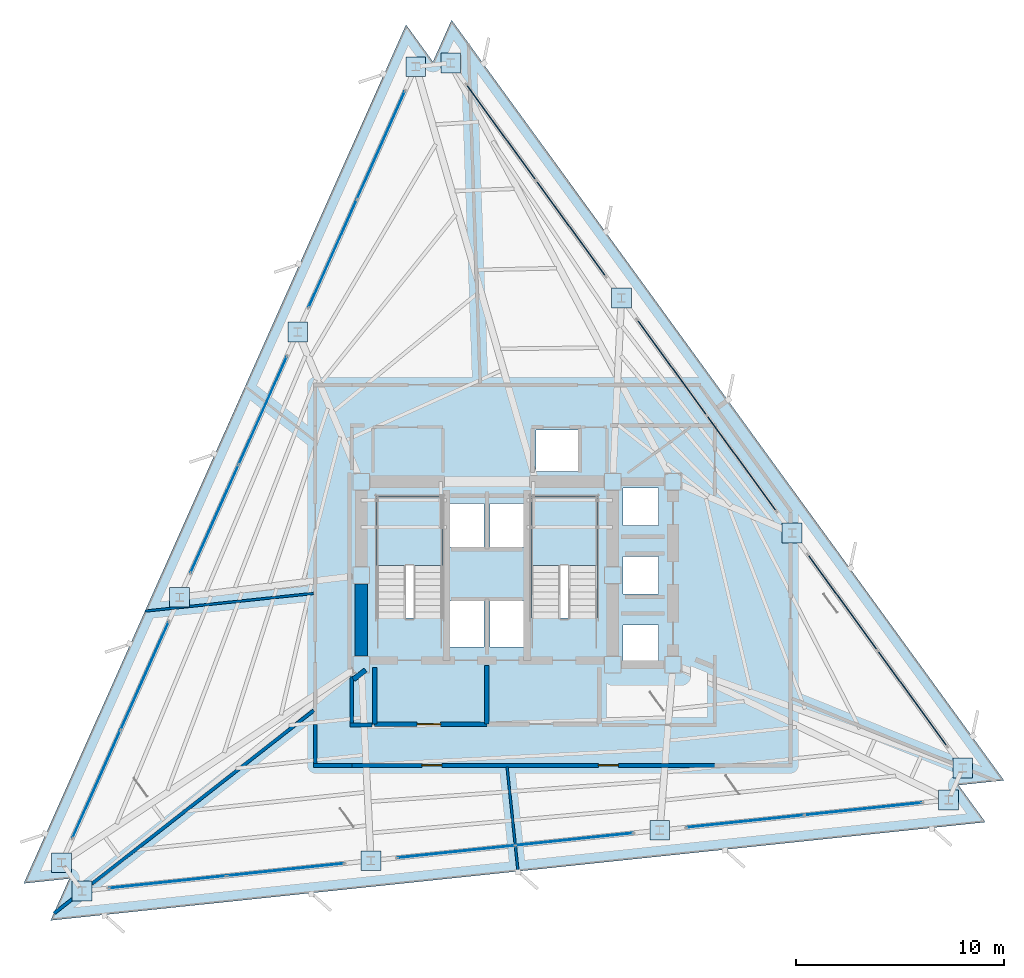
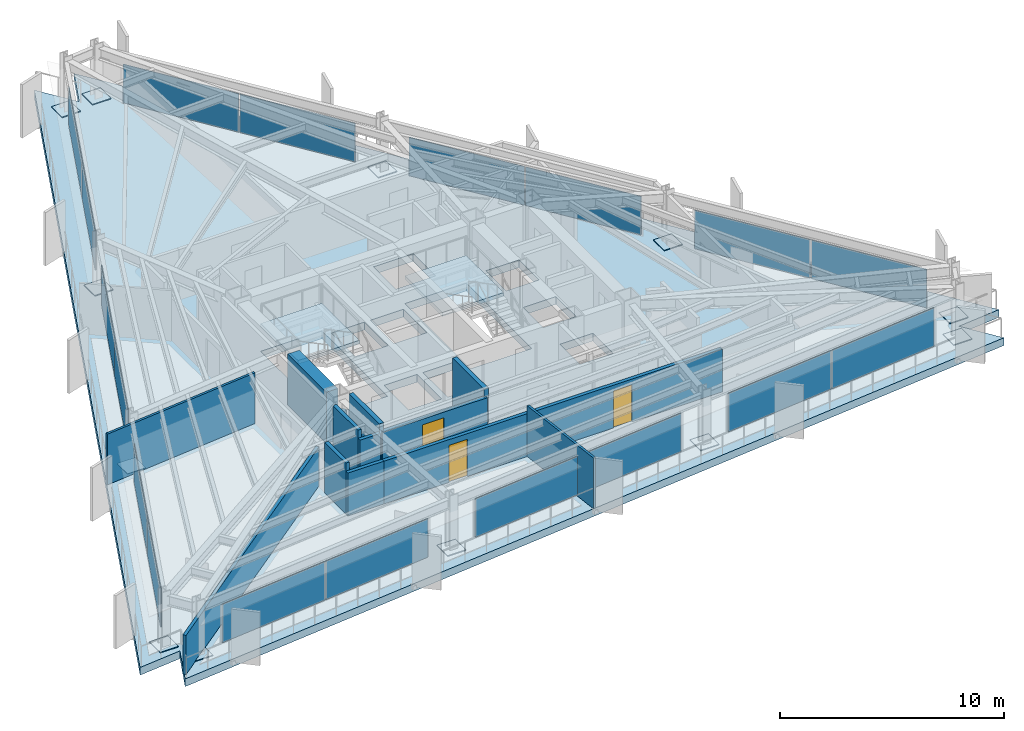
# One storey, part 7 of 12: 30 plates, 13 walls, 3 doors, 3 slabs, 3 openings, 11 elements without a shape of their own.
"""IFC4 building model written with IfcOpenShell, lengths in metres."""

from ifc_helpers import new_model, si_unit, direction, frame, frame_2d, origin, origin_2d, place, context, subcontext, project, spatial, polyline, rectangle, outline, extrude, material, layer, layer_set, type_object, element, fill, aggregate, save


model = new_model("IFC4")

# Units and contexts
model_context = context("Model", 3, precision=1e-05, world=origin(), true_north=direction((0.0, 1.0)))
body_context = subcontext(model_context, "Body", "Model", "MODEL_VIEW")
ifc_project = project(units=[si_unit("LENGTHUNIT", "METRE"), si_unit("AREAUNIT", "SQUARE_METRE"), si_unit("VOLUMEUNIT", "CUBIC_METRE"), si_unit("PLANEANGLEUNIT", "RADIAN"), si_unit("MASSUNIT", "GRAM", prefix="KILO")], contexts=[model_context])

# Site, building, storey
site_placement = place(None, origin())
site = spatial("IfcSite", under=ifc_project, at=site_placement, CompositionType="ELEMENT")
building_placement = place(site_placement, origin())
building = spatial("IfcBuilding", under=site, at=building_placement, Name="Rocaltana Carrier Exchange", CompositionType="ELEMENT")
storey_placement = place(building_placement, frame((0.0, 0.0, 104.639892578125)))
storey = spatial("IfcBuildingStorey", under=building, at=storey_placement, Name="L32", CompositionType="ELEMENT", Elevation=104.639892578125)

# Slab
ifc_material_1 = material(Name="Concrete C60/75", Category="concrete")
ifc_layer_1 = layer(ifc_material_1, 0.419921875)
ifc_layer_set_1 = layer_set([ifc_layer_1], Name="Concrete C60/75")
slab_type_1 = type_object("IfcSlabType", Name="Block Transfer Diaphragm Slab 420", PredefinedType="FLOOR", material=ifc_layer_set_1)
slab_1_placement = place(storey_placement, frame((0.0, 0.0, -0.419921875)))
element("IfcSlab", 1, at=slab_1_placement, inside=storey, type_object=slab_type_1, Name="L32 Structural Floor Slab", PredefinedType="FLOOR", context=body_context, shape_type="SweptSolid", body=[
    extrude(outline(polyline([(23.972900390625, -11.87744140625), (22.6796875, -10.09765625), (24.86767578125, -9.86767578125), (-1.7001953125, 26.699951171875), (-2.594970703125, 24.690185546875), (-3.88818359375, 26.469970703125), (-22.272705078125, -14.822509765625), (-20.084716796875, -14.59228515625), (-20.9794921875, -16.602294921875), (23.972900390625, -11.87744140625)]), holes=[polyline([(-5.300048828125, -2.06005859375), (-2.139892578125, -2.06005859375), (-2.139892578125, 3.800048828125), (-5.300048828125, 3.800048828125), (-5.300048828125, -2.06005859375)]), polyline([(2.139892578125, -2.06005859375), (5.300048828125, -2.06005859375), (5.300048828125, 3.800048828125), (2.139892578125, 3.800048828125), (2.139892578125, -2.06005859375)]), polyline([(-1.85009765625, -3.449951171875), (-0.14990234375, -3.449951171875), (-0.14990234375, -1.25), (-1.85009765625, -1.25), (-1.85009765625, -3.449951171875)]), polyline([(0.14990234375, -3.449951171875), (1.85009765625, -3.449951171875), (1.85009765625, -1.25), (0.14990234375, -1.25), (0.14990234375, -3.449951171875)]), polyline([(2.35009765625, 4.97998046875), (4.39990234375, 4.97998046875), (4.39990234375, 6.97998046875), (2.35009765625, 6.97998046875), (2.35009765625, 4.97998046875)]), polyline([(-1.85009765625, 1.35009765625), (-0.14990234375, 1.35009765625), (-0.14990234375, 3.449951171875), (-1.85009765625, 3.449951171875), (-1.85009765625, 1.35009765625)]), polyline([(0.14990234375, 1.35009765625), (1.85009765625, 1.35009765625), (1.85009765625, 3.449951171875), (0.14990234375, 3.449951171875), (0.14990234375, 1.35009765625)]), polyline([(6.550048828125, -4.199951171875), (8.25, -4.199951171875), (8.25, -2.39990234375), (6.550048828125, -2.39990234375), (6.550048828125, -4.199951171875)]), polyline([(6.550048828125, -0.89990234375), (8.25, -0.89990234375), (8.25, 0.89990234375), (6.550048828125, 0.89990234375), (6.550048828125, -0.89990234375)]), polyline([(6.550048828125, 2.39990234375), (8.25, 2.39990234375), (8.25, 4.199951171875), (6.550048828125, 4.199951171875), (6.550048828125, 2.39990234375)])]), origin(), (0.0, 0.0, 1.0), 0.419921875),
])

# Curtain wall, plates
ifc_material_2 = material(Name="Aluminium 6063-T6", Category="aluminium")
ifc_layer_2 = layer(ifc_material_2, 0.14990234375)
ifc_layer_set_2 = layer_set([ifc_layer_2], Name="Aluminium 6063-T6")
curtain_wall_type = type_object("IfcCurtainWallType", Name="Mid-Tower Unitised Curtain Wall CW-03", PredefinedType="NOTDEFINED", material=ifc_layer_set_2)
curtain_wall_1_placement = place(storey_placement, origin())
curtain_wall_1 = element("IfcCurtainWall", 2, at=curtain_wall_1_placement, inside=storey, type_object=curtain_wall_type, Name="L32 CW-03 Run CW-L32-F1S1", PredefinedType="NOTDEFINED")
ifc_material_3 = material(Name="Tempered Laminated Glass", Category="glass")
ifc_layer_3 = layer(ifc_material_3, 0.0400390625)
ifc_layer_set_3 = layer_set([ifc_layer_3], Name="Tempered Laminated Glass")
plate_type_1 = type_object("IfcPlateType", Name="CW-03 Stone-Insulated Vision Panel", PredefinedType="CURTAIN_PANEL", material=ifc_layer_set_3)
plate_1_placement = place(storey_placement, frame((20.4580078125, -5.925048828125, 0.06005859375), z_axis=(0.0, 0.0, 1.0), x_axis=(-0.587789985889, 0.809013555195, 0.0)))
plate_1 = element("IfcPlate", 3, at=plate_1_placement, type_object=plate_type_1, Name="CW-03 panel 1.1", PredefinedType="CURTAIN_PANEL", context=body_context, shape_type="SweptSolid", body=[
    extrude(rectangle(XDim=5.643310546875, YDim=0.0400390625, at=origin_2d()), origin(), (0.0, 0.0, 1.0), 2.097900390625),
])
plate_2_placement = place(storey_placement, frame((17.105712890625, -1.310791015625, 0.06005859375), z_axis=(0.0, 0.0, 1.0), x_axis=(-0.587789985889, 0.809013555195, 0.0)))
plate_2 = element("IfcPlate", 4, at=plate_2_placement, type_object=plate_type_1, Name="CW-03 panel 2.1", PredefinedType="CURTAIN_PANEL", context=body_context, shape_type="SweptSolid", body=[
    extrude(rectangle(XDim=5.643310546875, YDim=0.0400390625, at=origin_2d()), origin(), (0.0, 0.0, 1.0), 2.097900390625),
])
aggregate(curtain_wall_1, [plate_1, plate_2])

curtain_wall_2_placement = place(storey_placement, origin())
curtain_wall_2 = element("IfcCurtainWall", 5, at=curtain_wall_2_placement, inside=storey, type_object=curtain_wall_type, Name="L32 CW-03 Run CW-L32-F1S2", PredefinedType="NOTDEFINED")
plate_3_placement = place(storey_placement, frame((12.248779296875, 5.374267578125, 0.06005859375), z_axis=(0.0, 0.0, 1.0), x_axis=(-0.587789985889, 0.809013555195, 0.0)))
plate_3 = element("IfcPlate", 6, at=plate_3_placement, type_object=plate_type_1, Name="CW-03 panel 1.1", PredefinedType="CURTAIN_PANEL", context=body_context, shape_type="SweptSolid", body=[
    extrude(rectangle(XDim=5.643310546875, YDim=0.0400390625, at=origin_2d()), origin(), (0.0, 0.0, 1.0), 2.097900390625),
])
plate_4_placement = place(storey_placement, frame((8.896240234375, 9.98828125, 0.06005859375), z_axis=(0.0, 0.0, 1.0), x_axis=(-0.587789985889, 0.809013555195, 0.0)))
plate_4 = element("IfcPlate", 7, at=plate_4_placement, type_object=plate_type_1, Name="CW-03 panel 2.1", PredefinedType="CURTAIN_PANEL", context=body_context, shape_type="SweptSolid", body=[
    extrude(rectangle(XDim=5.643310546875, YDim=0.0400390625, at=origin_2d()), origin(), (0.0, 0.0, 1.0), 2.097900390625),
])
aggregate(curtain_wall_2, [plate_3, plate_4])

curtain_wall_3_placement = place(storey_placement, origin())
curtain_wall_3 = element("IfcCurtainWall", 8, at=curtain_wall_3_placement, inside=storey, type_object=curtain_wall_type, Name="L32 CW-03 Run CW-L32-F1S3", PredefinedType="NOTDEFINED")
plate_5_placement = place(storey_placement, frame((4.039306640625, 16.673583984375, 0.06005859375), z_axis=(0.0, 0.0, 1.0), x_axis=(-0.587789985889, 0.809013555195, 0.0)))
plate_5 = element("IfcPlate", 9, at=plate_5_placement, type_object=plate_type_1, Name="CW-03 panel 1.1", PredefinedType="CURTAIN_PANEL", context=body_context, shape_type="SweptSolid", body=[
    extrude(rectangle(XDim=5.643310546875, YDim=0.0400390625, at=origin_2d()), origin(), (0.0, 0.0, 1.0), 2.097900390625),
])
plate_6_placement = place(storey_placement, frame((0.68701171875, 21.28759765625, 0.06005859375), z_axis=(0.0, 0.0, 1.0), x_axis=(-0.587789985889, 0.809013555195, 0.0)))
plate_6 = element("IfcPlate", 10, at=plate_6_placement, type_object=plate_type_1, Name="CW-03 panel 2.1", PredefinedType="CURTAIN_PANEL", context=body_context, shape_type="SweptSolid", body=[
    extrude(rectangle(XDim=5.643310546875, YDim=0.0400390625, at=origin_2d()), origin(), (0.0, 0.0, 1.0), 2.097900390625),
])
aggregate(curtain_wall_3, [plate_5, plate_6])

curtain_wall_4_placement = place(storey_placement, origin())
curtain_wall_4 = element("IfcCurtainWall", 11, at=curtain_wall_4_placement, inside=storey, type_object=curtain_wall_type, Name="L32 CW-03 Run CW-L32-F2S1", PredefinedType="NOTDEFINED")
plate_7_placement = place(storey_placement, frame((-5.097900390625, 20.6796875, 0.06005859375), z_axis=(0.0, 0.0, 1.0), x_axis=(-0.406740386206, -0.913543791084, 0.0)))
plate_7 = element("IfcPlate", 12, at=plate_7_placement, type_object=plate_type_1, Name="CW-03 panel 1.1", PredefinedType="CURTAIN_PANEL", context=body_context, shape_type="SweptSolid", body=[
    extrude(rectangle(XDim=5.643310546875, YDim=0.0400390625, at=origin_2d()), origin(), (0.0, 0.0, 1.0), 2.097900390625),
])
plate_8_placement = place(storey_placement, frame((-7.41748046875, 15.46923828125, 0.06005859375), z_axis=(0.0, 0.0, 1.0), x_axis=(-0.406740386206, -0.913543791084, 0.0)))
plate_8 = element("IfcPlate", 13, at=plate_8_placement, type_object=plate_type_1, Name="CW-03 panel 2.1", PredefinedType="CURTAIN_PANEL", context=body_context, shape_type="SweptSolid", body=[
    extrude(rectangle(XDim=5.643310546875, YDim=0.0400390625, at=origin_2d()), origin(), (0.0, 0.0, 1.0), 2.097900390625),
])
aggregate(curtain_wall_4, [plate_7, plate_8])

curtain_wall_5_placement = place(storey_placement, origin())
curtain_wall_5 = element("IfcCurtainWall", 14, at=curtain_wall_5_placement, inside=storey, type_object=curtain_wall_type, Name="L32 CW-03 Run CW-L32-F2S2", PredefinedType="NOTDEFINED")
plate_9_placement = place(storey_placement, frame((-10.778564453125, 7.92041015625, 0.06005859375), z_axis=(0.0, 0.0, 1.0), x_axis=(-0.406743626669, -0.913542348315, 0.0)))
plate_9 = element("IfcPlate", 15, at=plate_9_placement, type_object=plate_type_1, Name="CW-03 panel 1.1", PredefinedType="CURTAIN_PANEL", context=body_context, shape_type="SweptSolid", body=[
    extrude(rectangle(XDim=5.643310546875, YDim=0.0400390625, at=origin_2d()), origin(), (0.0, 0.0, 1.0), 2.097900390625),
])
plate_10_placement = place(storey_placement, frame((-13.098388671875, 2.710205078125, 0.06005859375), z_axis=(0.0, 0.0, 1.0), x_axis=(-0.406743626669, -0.913542348315, 0.0)))
plate_10 = element("IfcPlate", 16, at=plate_10_placement, type_object=plate_type_1, Name="CW-03 panel 2.1", PredefinedType="CURTAIN_PANEL", context=body_context, shape_type="SweptSolid", body=[
    extrude(rectangle(XDim=5.643310546875, YDim=0.0400390625, at=origin_2d()), origin(), (0.0, 0.0, 1.0), 2.097900390625),
])
aggregate(curtain_wall_5, [plate_9, plate_10])

curtain_wall_6_placement = place(storey_placement, origin())
curtain_wall_6 = element("IfcCurtainWall", 17, at=curtain_wall_6_placement, inside=storey, type_object=curtain_wall_type, Name="L32 CW-03 Run CW-L32-F2S3", PredefinedType="NOTDEFINED")
plate_11_placement = place(storey_placement, frame((-16.45947265625, -4.838623046875, 0.06005859375), z_axis=(0.0, 0.0, 1.0), x_axis=(-0.406733108077, -0.913547031517, 0.0)))
plate_11 = element("IfcPlate", 18, at=plate_11_placement, type_object=plate_type_1, Name="CW-03 panel 1.1", PredefinedType="CURTAIN_PANEL", context=body_context, shape_type="SweptSolid", body=[
    extrude(rectangle(XDim=5.643310546875, YDim=0.0400390625, at=origin_2d()), origin(), (0.0, 0.0, 1.0), 2.097900390625),
])
plate_12_placement = place(storey_placement, frame((-18.779052734375, -10.048828125, 0.06005859375), z_axis=(0.0, 0.0, 1.0), x_axis=(-0.406733108077, -0.913547031517, 0.0)))
plate_12 = element("IfcPlate", 19, at=plate_12_placement, type_object=plate_type_1, Name="CW-03 panel 2.1", PredefinedType="CURTAIN_PANEL", context=body_context, shape_type="SweptSolid", body=[
    extrude(rectangle(XDim=5.643310546875, YDim=0.0400390625, at=origin_2d()), origin(), (0.0, 0.0, 1.0), 2.097900390625),
])
aggregate(curtain_wall_6, [plate_11, plate_12])

curtain_wall_7_placement = place(storey_placement, origin())
curtain_wall_7 = element("IfcCurtainWall", 20, at=curtain_wall_7_placement, inside=storey, type_object=curtain_wall_type, Name="L32 CW-03 Run CW-L32-F3S1", PredefinedType="NOTDEFINED")
plate_13_placement = place(storey_placement, frame((-15.360107421875, -14.754638671875, 0.06005859375), z_axis=(0.0, 0.0, 1.0), x_axis=(0.994522594952, 0.104521806959, 0.0)))
plate_13 = element("IfcPlate", 21, at=plate_13_placement, type_object=plate_type_1, Name="CW-03 panel 1.1", PredefinedType="CURTAIN_PANEL", context=body_context, shape_type="SweptSolid", body=[
    extrude(rectangle(XDim=5.643310546875, YDim=0.0400390625, at=origin_2d()), origin(), (0.0, 0.0, 1.0), 2.097900390625),
])
plate_14_placement = place(storey_placement, frame((-9.688232421875, -14.15869140625, 0.06005859375), z_axis=(0.0, 0.0, 1.0), x_axis=(0.994522594952, 0.104521806959, 0.0)))
plate_14 = element("IfcPlate", 22, at=plate_14_placement, type_object=plate_type_1, Name="CW-03 panel 2.1", PredefinedType="CURTAIN_PANEL", context=body_context, shape_type="SweptSolid", body=[
    extrude(rectangle(XDim=5.643310546875, YDim=0.0400390625, at=origin_2d()), origin(), (0.0, 0.0, 1.0), 2.097900390625),
])
aggregate(curtain_wall_7, [plate_13, plate_14])

curtain_wall_8_placement = place(storey_placement, origin())
curtain_wall_8 = element("IfcCurtainWall", 23, at=curtain_wall_8_placement, inside=storey, type_object=curtain_wall_type, Name="L32 CW-03 Run CW-L32-F3S2", PredefinedType="NOTDEFINED")
plate_15_placement = place(storey_placement, frame((-1.469970703125, -13.294677734375, 0.06005859375), z_axis=(0.0, 0.0, 1.0), x_axis=(0.994521783658, 0.104529526113, 0.0)))
plate_15 = element("IfcPlate", 24, at=plate_15_placement, type_object=plate_type_1, Name="CW-03 panel 1.1", PredefinedType="CURTAIN_PANEL", context=body_context, shape_type="SweptSolid", body=[
    extrude(rectangle(XDim=5.643310546875, YDim=0.0400390625, at=origin_2d()), origin(), (0.0, 0.0, 1.0), 2.097900390625),
])
plate_16_placement = place(storey_placement, frame((4.2021484375, -12.69873046875, 0.06005859375), z_axis=(0.0, 0.0, 1.0), x_axis=(0.994521783658, 0.104529526113, 0.0)))
plate_16 = element("IfcPlate", 25, at=plate_16_placement, type_object=plate_type_1, Name="CW-03 panel 2.1", PredefinedType="CURTAIN_PANEL", context=body_context, shape_type="SweptSolid", body=[
    extrude(rectangle(XDim=5.643310546875, YDim=0.0400390625, at=origin_2d()), origin(), (0.0, 0.0, 1.0), 2.097900390625),
])
aggregate(curtain_wall_8, [plate_15, plate_16])

curtain_wall_9_placement = place(storey_placement, origin())
curtain_wall_9 = element("IfcCurtainWall", 26, at=curtain_wall_9_placement, inside=storey, type_object=curtain_wall_type, Name="L32 CW-03 Run CW-L32-F3S3", PredefinedType="NOTDEFINED")
plate_17_placement = place(storey_placement, frame((12.420166015625, -11.834716796875, 0.06005859375), z_axis=(0.0, 0.0, 1.0), x_axis=(0.994522594952, 0.104521806959, 0.0)))
plate_17 = element("IfcPlate", 27, at=plate_17_placement, type_object=plate_type_1, Name="CW-03 panel 1.1", PredefinedType="CURTAIN_PANEL", context=body_context, shape_type="SweptSolid", body=[
    extrude(rectangle(XDim=5.643310546875, YDim=0.0400390625, at=origin_2d()), origin(), (0.0, 0.0, 1.0), 2.097900390625),
])
plate_18_placement = place(storey_placement, frame((18.092041015625, -11.23876953125, 0.06005859375), z_axis=(0.0, 0.0, 1.0), x_axis=(0.994522594952, 0.104521806959, 0.0)))
plate_18 = element("IfcPlate", 28, at=plate_18_placement, type_object=plate_type_1, Name="CW-03 panel 2.1", PredefinedType="CURTAIN_PANEL", context=body_context, shape_type="SweptSolid", body=[
    extrude(rectangle(XDim=5.643310546875, YDim=0.0400390625, at=origin_2d()), origin(), (0.0, 0.0, 1.0), 2.097900390625),
])
aggregate(curtain_wall_9, [plate_17, plate_18])

# Plates
ifc_material_4 = material(Name="Steel S460", Category="steel")
ifc_layer_4 = layer(ifc_material_4, 0.0400390625)
ifc_layer_set_4 = layer_set([ifc_layer_4], Name="Steel S460")
plate_type_2 = type_object("IfcPlateType", Name="Column Base Bearing Plate 950x950x40", PredefinedType="SHEET", material=ifc_layer_set_4)
for number, where, z_axis, x_axis, name in (
    (29, (22.88671875, -9.267578125, 0.0), (0.0, 0.0, 1.0), (1.0, 0.0, 0.0), "L32 Block Transfer Bearing Plate TC01"),
    (30, (14.67724609375, 2.03173828125, 0.0), (0.0, 0.0, 1.0), (1.0, 0.0, 0.0), "L32 Block Transfer Bearing Plate TC02"),
    (31, (6.4677734375, 13.3310546875, 0.0), (0.0, 0.0, 1.0), (1.0, 0.0, 0.0), "L32 Block Transfer Bearing Plate TC03"),
    (32, (-1.74169921875, 24.63037109375, 0.0), (0.0, 0.0, 1.0), (1.0, 0.0, 0.0), "L32 Block Transfer Bearing Plate TC04"),
    (33, (-3.417236328125, 24.4541015625, 0.0), (0.0, 0.0, 1.0), (1.0, 0.0, 0.0), "L32 Block Transfer Bearing Plate TC05"),
    (34, (-9.09814453125, 11.69482421875, 0.0), (0.0, 0.0, 1.0), (1.0, 0.0, 0.0), "L32 Block Transfer Bearing Plate TC06"),
    (35, (-14.77880859375, -1.064208984375, 0.0), (0.0, 0.0, 1.0), (1.0, 0.0, 0.0), "L32 Block Transfer Bearing Plate TC07"),
    (36, (-20.459716796875, -13.823486328125, 0.0), (0.0, 0.0, 1.0), (1.0, 0.0, 0.0), "L32 Block Transfer Bearing Plate TC08"),
    (37, (-19.46923828125, -15.1865234375, 0.0), (0.0, 0.0, 1.0), (1.0, 0.0, 0.0), "L32 Block Transfer Bearing Plate TC09"),
    (38, (-5.5791015625, -13.726806640625, 0.0), (0.0, 0.0, 1.0), (1.0, 0.0, 0.0), "L32 Block Transfer Bearing Plate TC10"),
    (39, (8.31103515625, -12.2666015625, 0.0), (0.0, 0.0, 1.0), (1.0, 0.0, 0.0), "L32 Block Transfer Bearing Plate TC11"),
    (40, (22.201171875, -10.806884765625, 0.0), (0.0, 0.0, 1.0), (1.0, 0.0, 0.0), "L32 Block Transfer Bearing Plate TC12"),
):
    element("IfcPlate", number, at=place(storey_placement, frame(where, z_axis=z_axis, x_axis=x_axis)), inside=storey, type_object=plate_type_2, Name=name, PredefinedType="SHEET", context=body_context, shape_type="SweptSolid", body=[
        extrude(rectangle(XDim=0.949951171875, YDim=0.949951171875, at=origin_2d()), origin(), (0.0, 0.0, 1.0), 0.0400390625),
    ])

# Stair, slab
ifc_material_5 = material(Name="Precast concrete C45/55", Category="concrete")
stair_type = type_object("IfcStairType", Name="Standard Dog-Leg Stair 160", PredefinedType="HALF_TURN_STAIR", material=ifc_material_5)
stair_1_placement = place(storey_placement, origin())
stair_1 = element("IfcStair", 41, at=stair_1_placement, inside=storey, type_object=stair_type, Name="L32 Core West Exit Stair ST-1", PredefinedType="HALF_TURN_STAIR")
ifc_material_6 = material(Name="Precast concrete C45/55", Category="concrete")
ifc_layer_5 = layer(ifc_material_6, 0.199951171875)
ifc_layer_set_5 = layer_set([ifc_layer_5], Name="Precast concrete C45/55")
slab_type_2 = type_object("IfcSlabType", Name="Precast Stair Half-Landing 200", PredefinedType="LANDING", material=ifc_layer_set_5)
slab_2_placement = place(storey_placement, frame((0.0, 0.0, 1.320068359375)))
slab_2 = element("IfcSlab", 42, at=slab_2_placement, type_object=slab_type_2, Name="ST-1 landing 1", PredefinedType="LANDING", context=body_context, shape_type="SweptSolid", body=[
    extrude(outline(polyline([(-2.139892578125, 0.4599609375), (-2.139892578125, 3.800048828125), (-5.300048828125, 3.800048828125), (-5.300048828125, 0.4599609375), (-2.139892578125, 0.4599609375)])), origin(), (0.0, 0.0, 1.0), 0.199951171875),
])
aggregate(stair_1, [slab_2])

stair_2_placement = place(storey_placement, origin())
stair_2 = element("IfcStair", 43, at=stair_2_placement, inside=storey, type_object=stair_type, Name="L32 Core East Exit Stair ST-2", PredefinedType="HALF_TURN_STAIR")
slab_3_placement = place(storey_placement, frame((0.0, 0.0, 1.320068359375)))
slab_3 = element("IfcSlab", 44, at=slab_3_placement, type_object=slab_type_2, Name="ST-2 landing 1", PredefinedType="LANDING", context=body_context, shape_type="SweptSolid", body=[
    extrude(outline(polyline([(5.300048828125, 0.4599609375), (5.300048828125, 3.800048828125), (2.139892578125, 3.800048828125), (2.139892578125, 0.4599609375), (5.300048828125, 0.4599609375)])), origin(), (0.0, 0.0, 1.0), 0.199951171875),
])
aggregate(stair_2, [slab_3])

# Walls
ifc_material_7 = material(Name="Double Acoustic Gypsum Partition", Category="gypsum")
ifc_layer_6 = layer(ifc_material_7, 0.159912109375)
ifc_layer_set_6 = layer_set([ifc_layer_6], Name="Double Acoustic Gypsum Partition")
wall_type_1 = type_object("IfcWallType", Name="Acoustic Studio Partition 160 EI60", PredefinedType="PARTITIONING", material=ifc_layer_set_6)
wall_1_placement = place(storey_placement, frame((-8.330078125, -6.508056640625, 0.0), z_axis=(0.0, 0.0, 1.0), x_axis=(-0.788011528275, -0.615660483794, 0.0)))
element("IfcWall", 45, at=wall_1_placement, inside=storey, type_object=wall_type_1, Name="L32 Suite Divider Wall D3", PredefinedType="PARTITIONING", context=body_context, shape_type="SweptSolid", body=[
    extrude(rectangle(XDim=15.84814453125, YDim=0.159912109375, at=frame_2d((7.924072265625, 0.0))), origin(), (0.0, 0.0, 1.0), 2.132080078125),
])
ifc_material_8 = material(Name="Concrete C50/60", Category="concrete")
ifc_layer_7 = layer(ifc_material_8, 0.60009765625)
ifc_layer_set_7 = layer_set([ifc_layer_7], Name="Concrete C50/60")
wall_type_2 = type_object("IfcWallType", Name="Core Shear Wall 600", PredefinedType="SHEAR", material=ifc_layer_set_7)
wall_2_placement = place(storey_placement, frame((-6.050048828125, -3.875, 0.0), z_axis=(0.0, 0.0, 1.0), x_axis=(0.0, 1.0, 0.0)))
element("IfcWall", 46, at=wall_2_placement, inside=storey, type_object=wall_type_2, Name="L32 Core Shear Wall CW-WS", PredefinedType="SHEAR", context=body_context, shape_type="SweptSolid", body=[
    extrude(rectangle(XDim=3.449951171875, YDim=0.60009765625, at=frame_2d((1.72509765625, 0.0))), origin(), (0.0, 0.0, 1.0), 2.7880859375),
])
ifc_material_9 = material(Name="Gypsum & Steel Stud Partition", Category="steel")
ifc_layer_8 = layer(ifc_material_9, 0.179931640625)
ifc_layer_set_8 = layer_set([ifc_layer_8], Name="Gypsum & Steel Stud Partition")
wall_type_3 = type_object("IfcWallType", Name="Corridor Fire Partition 180 EI60", PredefinedType="PARTITIONING", material=ifc_layer_set_8)
wall_3_placement = place(storey_placement, frame((-6.47998046875, -9.14990234375, 0.0), z_axis=(0.0, 0.0, 1.0), x_axis=(-1.0, 0.0, 0.0)))
element("IfcWall", 47, at=wall_3_placement, inside=storey, type_object=wall_type_3, Name="L32 Corridor Partition 1", PredefinedType="PARTITIONING", context=body_context, shape_type="SweptSolid", body=[
    extrude(rectangle(XDim=1.860107421875, YDim=0.179931640625, at=frame_2d((0.93017578125, 0.0))), origin(), (0.0, 0.0, 1.0), 2.330078125),
])
wall_4_placement = place(storey_placement, frame((-8.25, -9.06005859375, 0.0), z_axis=(0.0, 0.0, 1.0), x_axis=(0.0, 1.0, 0.0)))
element("IfcWall", 48, at=wall_4_placement, inside=storey, type_object=wall_type_3, Name="L32 Corridor Partition 2", PredefinedType="PARTITIONING", context=body_context, shape_type="SweptSolid", body=[
    extrude(rectangle(XDim=1.880126953125, YDim=0.179931640625, at=frame_2d((0.93994140625, 0.0))), origin(), (0.0, 0.0, 1.0), 2.76318359375),
])

# Wall, openings, doors
wall_5_placement = place(storey_placement, frame((10.97998046875, -9.14990234375, 0.0), z_axis=(0.0, 0.0, 1.0), x_axis=(-1.0, 0.0, 0.0)))
wall_5 = element("IfcWall", 49, at=wall_5_placement, inside=storey, type_object=wall_type_3, Name="L32 Corridor Partition 11", PredefinedType="PARTITIONING", context=body_context, shape_type="SweptSolid", body=[
    extrude(rectangle(XDim=17.5, YDim=0.179931640625, at=frame_2d((8.75, 0.0))), origin(), (0.0, 0.0, 1.0), 2.330078125),
])
opening_1_placement = place(wall_5_placement, frame((13.14501953125, 0.0, 0.0)))
opening_1 = element("IfcOpeningElement", 50, at=opening_1_placement, cuts=wall_5, Name="Opening D-RM098", PredefinedType="OPENING", context=body_context, shape_type="SweptSolid", body=[
    extrude(rectangle(XDim=0.9599609375, YDim=2.02001953125, at=frame_2d((0.47998046875, 1.010009765625))), frame((0.0, 0.099853515625, 0.0), z_axis=(0.0, -1.0, 0.0), x_axis=(1.0, 0.0, 0.0)), (0.0, 0.0, 1.0), 0.199951171875),
])
opening_2_placement = place(wall_5_placement, frame((4.65478515625, 0.0, 0.0)))
opening_2 = element("IfcOpeningElement", 51, at=opening_2_placement, cuts=wall_5, Name="Opening D-RM098", PredefinedType="OPENING", context=body_context, shape_type="SweptSolid", body=[
    extrude(rectangle(XDim=0.9599609375, YDim=2.02001953125, at=frame_2d((0.47998046875, 1.010009765625))), frame((0.0, 0.099853515625, 0.0), z_axis=(0.0, -1.0, 0.0), x_axis=(1.0, 0.0, 0.0)), (0.0, 0.0, 1.0), 0.199951171875),
])
ifc_material_10 = material(Name="Engineered Hardwood Timber", Category="wood")
door_type_1 = type_object("IfcDoorType", Name="Workspace Single Door 960x2020", OperationType="NOTDEFINED", PredefinedType="DOOR", material=ifc_material_10)
door_1_placement = place(opening_1_placement, origin())
door_1 = element("IfcDoor", 52, at=door_1_placement, inside=storey, type_object=door_type_1, Name="L32 Network Operations Office Entrance Door", OperationType="SINGLE_SWING_LEFT", OverallHeight=2.02001953125, OverallWidth=0.9599609375, PredefinedType="DOOR", context=body_context, shape_type="SweptSolid", body=[
    extrude(rectangle(XDim=0.9599609375, YDim=2.02001953125, at=frame_2d((0.47998046875, 1.010009765625))), frame((0.0, 0.02490234375, 0.0), z_axis=(0.0, -1.0, 0.0), x_axis=(1.0, 0.0, 0.0)), (0.0, 0.0, 1.0), 0.050048828125),
])
fill(opening_1, door_1)
door_2_placement = place(opening_2_placement, origin())
door_2 = element("IfcDoor", 53, at=door_2_placement, inside=storey, type_object=door_type_1, Name="L32 Cloud Architecture Office Entrance Door", OperationType="SINGLE_SWING_RIGHT", OverallHeight=2.02001953125, OverallWidth=0.9599609375, PredefinedType="DOOR", context=body_context, shape_type="SweptSolid", body=[
    extrude(rectangle(XDim=0.9599609375, YDim=2.02001953125, at=frame_2d((0.47998046875, 1.010009765625))), frame((0.0, 0.02490234375, 0.0), z_axis=(0.0, -1.0, 0.0), x_axis=(1.0, 0.0, 0.0)), (0.0, 0.0, 1.0), 0.050048828125),
])
fill(opening_2, door_2)

# Walls
wall_6_placement = place(storey_placement, frame((-6.5, -4.8798828125, 0.0), z_axis=(0.0, 0.0, 1.0), x_axis=(0.0, -1.0, 0.0)))
element("IfcWall", 54, at=wall_6_placement, inside=storey, type_object=wall_type_3, Name="L32 Corridor Partition 19", PredefinedType="PARTITIONING", context=body_context, shape_type="SweptSolid", body=[
    extrude(rectangle(XDim=2.230224609375, YDim=0.179931640625, at=frame_2d((1.115234375, 0.0))), origin(), (0.0, 0.0, 1.0), 2.76318359375),
])
wall_7_placement = place(storey_placement, frame((-6.590087890625, -7.199951171875, 0.0), z_axis=(0.0, 0.0, 1.0), x_axis=(1.0, 0.0, 0.0)))
element("IfcWall", 55, at=wall_7_placement, inside=storey, type_object=wall_type_3, Name="L32 Corridor Partition 20", PredefinedType="PARTITIONING", context=body_context, shape_type="SweptSolid", body=[
    extrude(rectangle(XDim=1.06005859375, YDim=0.179931640625, at=frame_2d((0.530029296875, 0.0))), origin(), (0.0, 0.0, 1.0), 2.330078125),
])
ifc_material_11 = material(Name="Aluminium 6063-T6 & Acoustic Glass", Category="aluminium")
ifc_layer_9 = layer(ifc_material_11, 0.114990234375)
ifc_layer_set_9 = layer_set([ifc_layer_9], Name="Aluminium 6063-T6 & Acoustic Glass")
wall_type_4 = type_object("IfcWallType", Name="Demountable Glazed Lab Partition 115", PredefinedType="MOVABLE", material=ifc_layer_set_9)
wall_8_placement = place(storey_placement, frame((-8.330078125, -0.87548828125, 0.0), z_axis=(0.0, 0.0, 1.0), x_axis=(-0.994520879121, -0.104538131765, 0.0)))
element("IfcWall", 56, at=wall_8_placement, inside=storey, type_object=wall_type_4, Name="L32 Suite Divider Wall D1", PredefinedType="MOVABLE", context=body_context, shape_type="SweptSolid", body=[
    extrude(rectangle(XDim=8.14599609375, YDim=0.114990234375, at=frame_2d((4.072998046875, 0.0))), origin(), (0.0, 0.0, 1.0), 2.76318359375),
])
wall_9_placement = place(storey_placement, frame((0.97021484375, -9.22998046875, 0.0), z_axis=(0.0, 0.0, 1.0), x_axis=(0.104502779655, -0.994524594489, 0.0)))
element("IfcWall", 57, at=wall_9_placement, inside=storey, type_object=wall_type_4, Name="L32 Suite Divider Wall D4", PredefinedType="MOVABLE", context=body_context, shape_type="SweptSolid", body=[
    extrude(rectangle(XDim=5.027587890625, YDim=0.114990234375, at=frame_2d((2.513671875, 0.0))), origin(), (0.0, 0.0, 1.0), 2.76318359375),
])
ifc_material_12 = material(Name="Autoclaved Aerated Concrete C30/37", Category="concrete")
ifc_layer_10 = layer(ifc_material_12, 0.219970703125)
ifc_layer_set_10 = layer_set([ifc_layer_10], Name="Autoclaved Aerated Concrete C30/37")
wall_type_5 = type_object("IfcWallType", Name="Firefighting Lobby Wall 220 EI120", PredefinedType="PARTITIONING", material=ifc_layer_set_10)
wall_10_placement = place(storey_placement, frame((-5.39990234375, -7.159912109375, 0.0), z_axis=(0.0, 0.0, 1.0), x_axis=(0.0, 1.0, 0.0)))
element("IfcWall", 58, at=wall_10_placement, inside=storey, type_object=wall_type_5, Name="L32 FFL Lobby 1 West Wall", PredefinedType="PARTITIONING", context=body_context, shape_type="SweptSolid", body=[
    extrude(rectangle(XDim=2.7099609375, YDim=0.219970703125, at=frame_2d((1.35498046875, 0.0))), origin(), (0.0, 0.0, 1.0), 2.76318359375),
])
wall_11_placement = place(storey_placement, frame((0.0, -7.159912109375, 0.0), z_axis=(0.0, 0.0, 1.0), x_axis=(0.0, 1.0, 0.0)))
element("IfcWall", 59, at=wall_11_placement, inside=storey, type_object=wall_type_5, Name="L32 FFL Lobby Centre Wall", PredefinedType="PARTITIONING", context=body_context, shape_type="SweptSolid", body=[
    extrude(rectangle(XDim=2.809814453125, YDim=0.219970703125, at=frame_2d((1.40478515625, 0.0))), origin(), (0.0, 0.0, 1.0), 2.76318359375),
])

# Wall, opening, door
wall_12_placement = place(storey_placement, frame((-5.39990234375, -7.159912109375, 0.0), z_axis=(0.0, 0.0, 1.0), x_axis=(1.0, 0.0, 0.0)))
wall_12 = element("IfcWall", 60, at=wall_12_placement, inside=storey, type_object=wall_type_5, Name="L32 FFL Lobby 1 South Wall", PredefinedType="PARTITIONING", context=body_context, shape_type="SweptSolid", body=[
    extrude(rectangle(XDim=5.39990234375, YDim=0.219970703125, at=frame_2d((2.699951171875, 0.0))), origin(), (0.0, 0.0, 1.0), 2.330078125),
])
opening_3_placement = place(wall_12_placement, frame((2.050048828125, 0.0, 0.0)))
opening_3 = element("IfcOpeningElement", 61, at=opening_3_placement, cuts=wall_12, Name="Opening D-FF115", PredefinedType="OPENING", context=body_context, shape_type="SweptSolid", body=[
    extrude(rectangle(XDim=1.1201171875, YDim=2.02001953125, at=frame_2d((0.56005859375, 1.010009765625))), frame((0.0, 0.119873046875, 0.0), z_axis=(0.0, -1.0, 0.0), x_axis=(1.0, 0.0, 0.0)), (0.0, 0.0, 1.0), 0.239990234375),
])
ifc_material_13 = material(Name="Hollow Metal Fire Door Assembly", Category="steel")
door_type_2 = type_object("IfcDoorType", Name="Firefighting Lobby Door 1120x2020 FD60S", OperationType="NOTDEFINED", PredefinedType="DOOR", material=ifc_material_13)
door_3_placement = place(opening_3_placement, origin())
door_3 = element("IfcDoor", 62, at=door_3_placement, inside=storey, type_object=door_type_2, Name="L32 Firefighting Lift Lobby 1 Door", OperationType="SINGLE_SWING_RIGHT", OverallHeight=2.02001953125, OverallWidth=1.1201171875, PredefinedType="DOOR", context=body_context, shape_type="SweptSolid", body=[
    extrude(rectangle(XDim=1.1201171875, YDim=2.02001953125, at=frame_2d((0.56005859375, 1.010009765625))), frame((0.0, 0.02490234375, 0.0), z_axis=(0.0, -1.0, 0.0), x_axis=(1.0, 0.0, 0.0)), (0.0, 0.0, 1.0), 0.050048828125),
])
fill(opening_3, door_3)

# Wall
ifc_material_14 = material(Name="Acoustic Calcium Silicate Partition", Category="gypsum")
ifc_layer_11 = layer(ifc_material_14, 0.239990234375)
ifc_layer_set_11 = layer_set([ifc_layer_11], Name="Acoustic Calcium Silicate Partition")
wall_type_6 = type_object("IfcWallType", Name="Heavy Lab Partition 240 EI90", PredefinedType="PARTITIONING", material=ifc_layer_set_11)
wall_13_placement = place(storey_placement, frame((-5.83642578125, -4.56005859375, 0.0), z_axis=(0.0, 0.0, 1.0), x_axis=(-0.788054366409, -0.615605649408, 0.0)))
element("IfcWall", 63, at=wall_13_placement, inside=storey, type_object=wall_type_6, Name="L32 Suite Divider Wall D2", PredefinedType="PARTITIONING", context=body_context, shape_type="SweptSolid", body=[
    extrude(rectangle(XDim=0.740478515625, YDim=0.239990234375, at=frame_2d((0.3701171875, 0.0))), origin(), (0.0, 0.0, 1.0), 2.132080078125),
])

save(model, "model.ifc")
